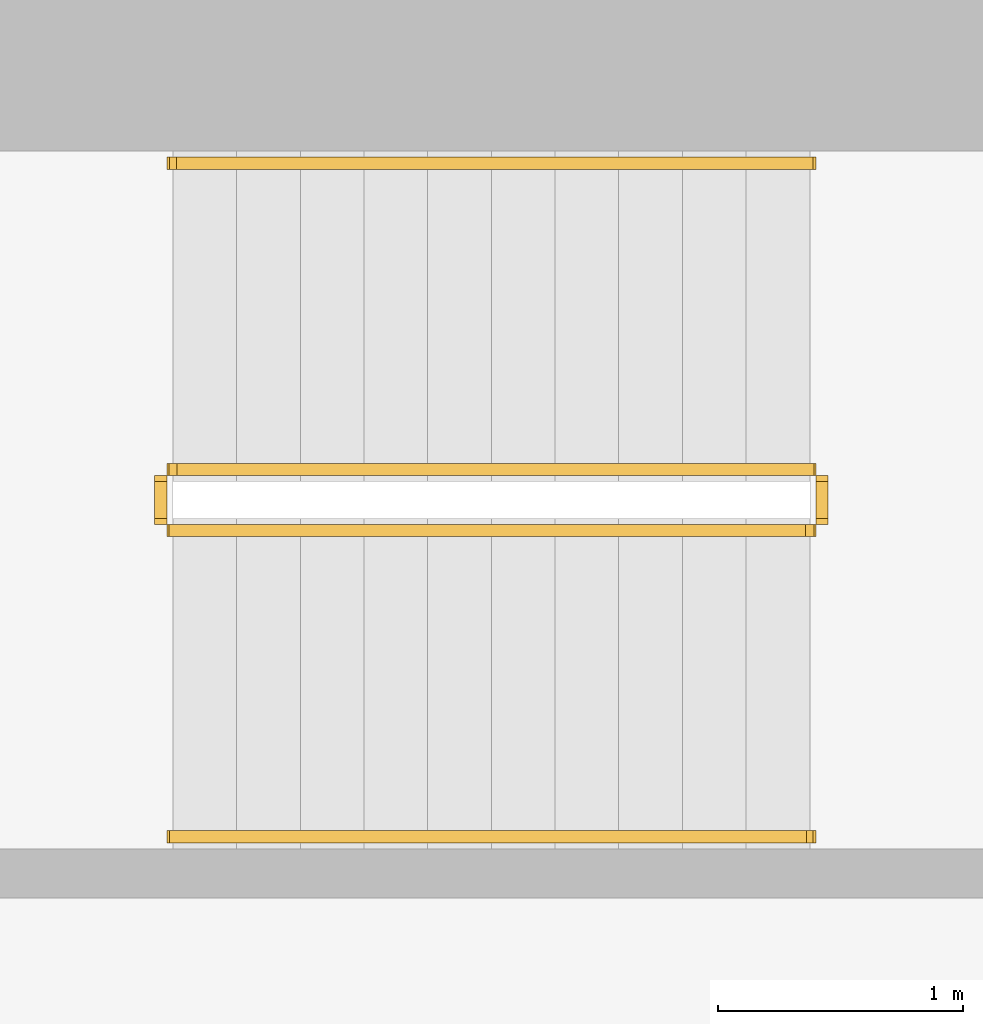
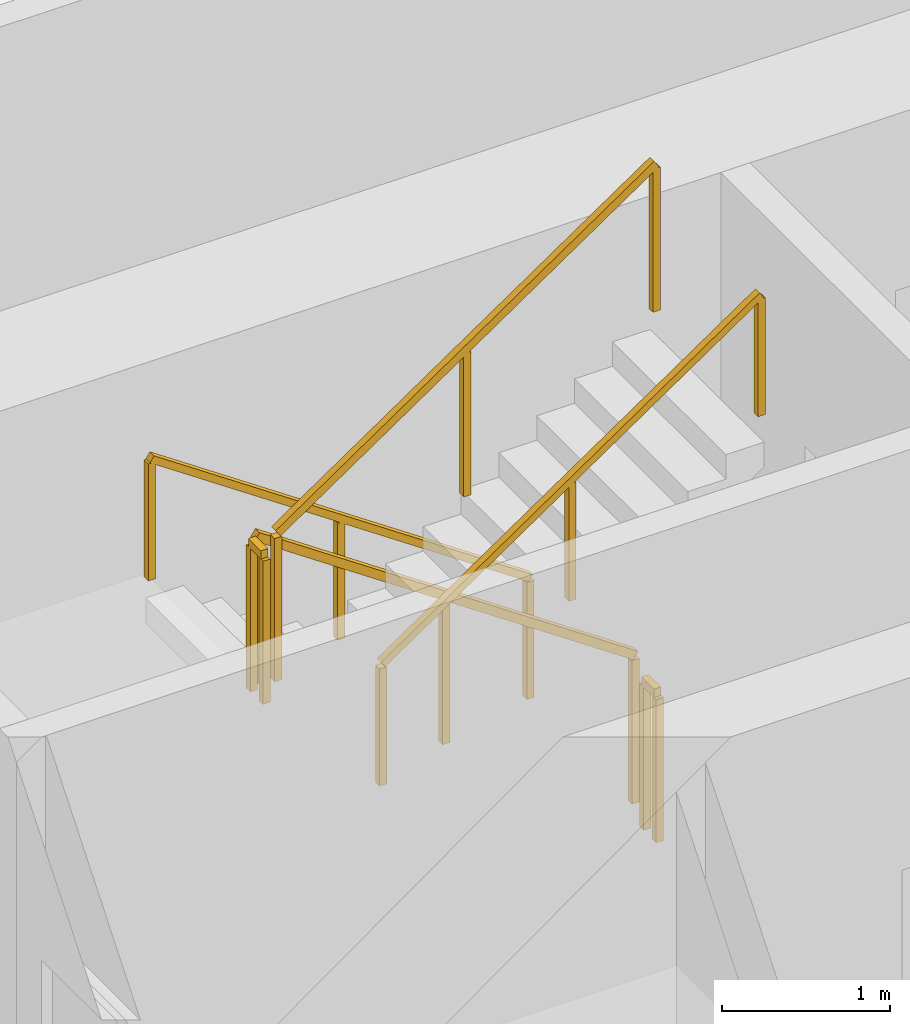
# One storey, part 14 of 15: 6 railings.
"""IFC4 building model written with IfcOpenShell, lengths in metres."""

from ifc_helpers import new_model, si_unit, direction, frame, origin, origin_2d, place, context, subcontext, project, spatial, rectangle, extrude, material, type_object, element, save


model = new_model("IFC4")

# Units and contexts
model_context = context("Model", 3, precision=1e-05, world=origin(), true_north=direction((0.0, 1.0)))
body_context = subcontext(model_context, "Body", "Model", "MODEL_VIEW")
ifc_project = project(units=[si_unit("LENGTHUNIT", "METRE"), si_unit("AREAUNIT", "SQUARE_METRE"), si_unit("VOLUMEUNIT", "CUBIC_METRE"), si_unit("PLANEANGLEUNIT", "RADIAN"), si_unit("MASSUNIT", "GRAM", prefix="KILO")], contexts=[model_context])

# Site, building, storey
site_placement = place(None, origin())
site = spatial("IfcSite", under=ifc_project, at=site_placement, CompositionType="ELEMENT")
building_placement = place(site_placement, origin())
building = spatial("IfcBuilding", under=site, at=building_placement, Name="Khepri Terraces", CompositionType="ELEMENT")
storey_placement = place(building_placement, frame((0.0, 0.0, 200.10009765625)))
storey = spatial("IfcBuildingStorey", under=building, at=storey_placement, Name="L47", CompositionType="ELEMENT", Elevation=200.10009765625)

# Railings
ifc_material = material(Name="Stainless steel 316", Category="steel")
railing_type_1 = type_object("IfcRailingType", Name="RL-CORE-GUARD", PredefinedType="GUARDRAIL", material=ifc_material)
railing_1_placement = place(storey_placement, frame((-0.25, 8.800048828125, 0.17724609375)))
element("IfcRailing", 1, at=railing_1_placement, inside=storey, type_object=railing_type_1, Name="L47 ST-3 stair guard 1", PredefinedType="GUARDRAIL", context=body_context, shape_type="SweptSolid", body=[
    extrude(rectangle(XDim=0.050048828125, YDim=0.06005859375, at=origin_2d()), frame((0.0, 0.0, 1.070068359375), z_axis=(-0.826240473404, 0.0, 0.563317565952), x_axis=(0.0, -1.0, 0.0)), (0.0, 0.0, 1.0), 3.14697265625),
    extrude(rectangle(XDim=0.050048828125, YDim=0.050048828125, at=origin_2d()), origin(), (0.0, 0.0, 1.0), 1.0400390625),
    extrude(rectangle(XDim=0.050048828125, YDim=0.050048828125, at=origin_2d()), frame((-1.300048828125, 0.0, 0.88623046875)), (0.0, 0.0, 1.0), 1.0400390625),
    extrude(rectangle(XDim=0.050048828125, YDim=0.050048828125, at=origin_2d()), frame((-2.60009765625, 0.0, 1.772705078125)), (0.0, 0.0, 1.0), 1.0400390625),
])
railing_2_placement = place(storey_placement, frame((-2.89990234375, 8.75, 1.949951171875)))
element("IfcRailing", 2, at=railing_2_placement, inside=storey, type_object=railing_type_1, Name="L47 ST-3 stair guard 2", PredefinedType="GUARDRAIL", context=body_context, shape_type="SweptSolid", body=[
    extrude(rectangle(XDim=0.050048828125, YDim=0.06005859375, at=origin_2d()), frame((0.0, 0.0, 1.070068359375), z_axis=(0.0, -1.0, 0.0), x_axis=(1.0, 0.0, 0.0)), (0.0, 0.0, 1.0), 0.14990234375),
    extrude(rectangle(XDim=0.050048828125, YDim=0.050048828125, at=origin_2d()), origin(), (0.0, 0.0, 1.0), 1.0400390625),
    extrude(rectangle(XDim=0.050048828125, YDim=0.050048828125, at=origin_2d()), frame((0.0, -0.14990234375, 0.0)), (0.0, 0.0, 1.0), 1.0400390625),
])
railing_3_placement = place(storey_placement, frame((-2.85009765625, 8.550048828125, 2.127197265625)))
element("IfcRailing", 3, at=railing_3_placement, inside=storey, type_object=railing_type_1, Name="L47 ST-3 stair guard 3", PredefinedType="GUARDRAIL", context=body_context, shape_type="SweptSolid", body=[
    extrude(rectangle(XDim=0.050048828125, YDim=0.06005859375, at=origin_2d()), frame((0.0, 0.0, 1.070068359375), z_axis=(0.826240473404, 0.0, 0.563317565952), x_axis=(0.0, 1.0, 0.0)), (0.0, 0.0, 1.0), 3.14697265625),
    extrude(rectangle(XDim=0.050048828125, YDim=0.050048828125, at=origin_2d()), origin(), (0.0, 0.0, 1.0), 1.0400390625),
    extrude(rectangle(XDim=0.050048828125, YDim=0.050048828125, at=origin_2d()), frame((1.300048828125, 0.0, 0.88623046875)), (0.0, 0.0, 1.0), 1.0400390625),
    extrude(rectangle(XDim=0.050048828125, YDim=0.050048828125, at=origin_2d()), frame((2.60009765625, 0.0, 1.772705078125)), (0.0, 0.0, 1.0), 1.0400390625),
])
railing_4_placement = place(storey_placement, frame((-0.199951171875, 8.75, 0.0)))
element("IfcRailing", 4, at=railing_4_placement, inside=storey, type_object=railing_type_1, Name="L47 ST-3 stair guard 4", PredefinedType="GUARDRAIL", context=body_context, shape_type="SweptSolid", body=[
    extrude(rectangle(XDim=0.050048828125, YDim=0.06005859375, at=origin_2d()), frame((0.0, 0.0, 1.070068359375), z_axis=(0.0, -1.0, 0.0), x_axis=(1.0, 0.0, 0.0)), (0.0, 0.0, 1.0), 0.14990234375),
    extrude(rectangle(XDim=0.050048828125, YDim=0.050048828125, at=origin_2d()), origin(), (0.0, 0.0, 1.0), 1.0400390625),
    extrude(rectangle(XDim=0.050048828125, YDim=0.050048828125, at=origin_2d()), frame((0.0, -0.14990234375, 0.0)), (0.0, 0.0, 1.0), 1.0400390625),
])
railing_type_2 = type_object("IfcRailingType", Name="RL-CORE-HANDRAIL", PredefinedType="HANDRAIL", material=ifc_material)
railing_5_placement = place(storey_placement, frame((-0.25, 10.050048828125, 0.17724609375)))
element("IfcRailing", 5, at=railing_5_placement, inside=storey, type_object=railing_type_2, Name="L47 ST-3 stair handrail 1", PredefinedType="HANDRAIL", context=body_context, shape_type="SweptSolid", body=[
    extrude(rectangle(XDim=0.050048828125, YDim=0.050048828125, at=origin_2d()), frame((0.0, 0.0, 0.875), z_axis=(-0.826240473404, 0.0, 0.563317565952), x_axis=(0.0, -1.0, 0.0)), (0.0, 0.0, 1.0), 3.14697265625),
    extrude(rectangle(XDim=0.050048828125, YDim=0.050048828125, at=origin_2d()), origin(), (0.0, 0.0, 1.0), 0.849853515625),
    extrude(rectangle(XDim=0.050048828125, YDim=0.050048828125, at=origin_2d()), frame((-1.300048828125, 0.0, 0.88623046875)), (0.0, 0.0, 1.0), 0.849853515625),
    extrude(rectangle(XDim=0.050048828125, YDim=0.050048828125, at=origin_2d()), frame((-2.60009765625, 0.0, 1.772705078125)), (0.0, 0.0, 1.0), 0.849853515625),
])
railing_6_placement = place(storey_placement, frame((-2.85009765625, 7.300048828125, 2.127197265625)))
element("IfcRailing", 6, at=railing_6_placement, inside=storey, type_object=railing_type_2, Name="L47 ST-3 stair handrail 2", PredefinedType="HANDRAIL", context=body_context, shape_type="SweptSolid", body=[
    extrude(rectangle(XDim=0.050048828125, YDim=0.050048828125, at=origin_2d()), frame((0.0, 0.0, 0.875), z_axis=(0.826240473404, 0.0, 0.563317565952), x_axis=(0.0, 1.0, 0.0)), (0.0, 0.0, 1.0), 3.14697265625),
    extrude(rectangle(XDim=0.050048828125, YDim=0.050048828125, at=origin_2d()), origin(), (0.0, 0.0, 1.0), 0.849853515625),
    extrude(rectangle(XDim=0.050048828125, YDim=0.050048828125, at=origin_2d()), frame((1.300048828125, 0.0, 0.88623046875)), (0.0, 0.0, 1.0), 0.849853515625),
    extrude(rectangle(XDim=0.050048828125, YDim=0.050048828125, at=origin_2d()), frame((2.60009765625, 0.0, 1.772705078125)), (0.0, 0.0, 1.0), 0.849853515625),
])

save(model, "model.ifc")
